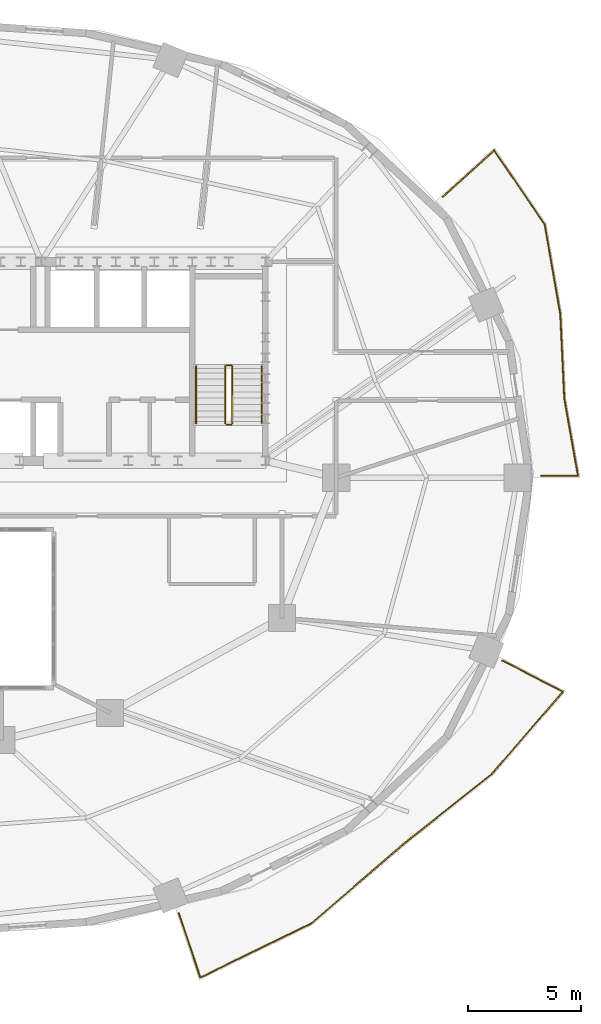
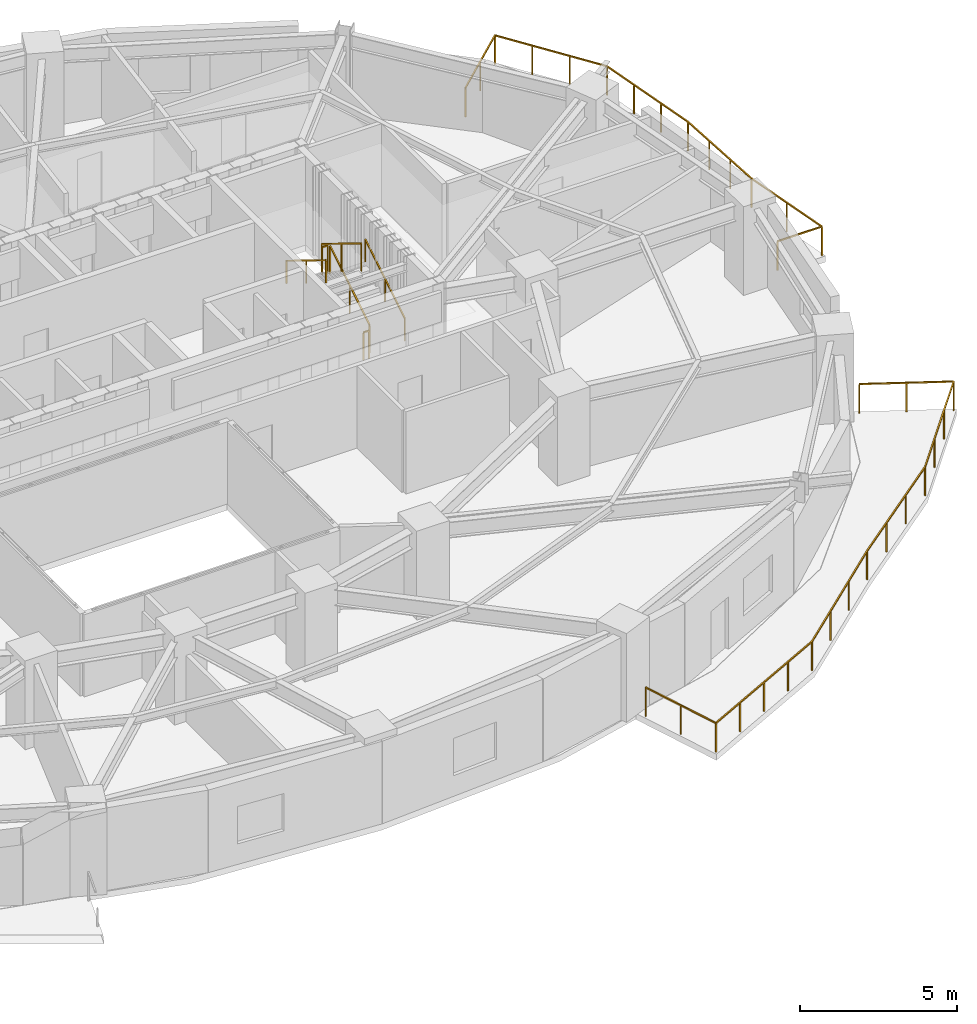
# One storey, part 13 of 13: 8 railings.
"""IFC4 building model written with IfcOpenShell, lengths in metres."""

from ifc_helpers import new_model, si_unit, direction, frame, origin, origin_2d, place, context, subcontext, project, spatial, rectangle, extrude, material, type_object, element, save


model = new_model("IFC4")

# Units and contexts
model_context = context("Model", 3, precision=1e-05, world=origin(), true_north=direction((0.0, 1.0)))
body_context = subcontext(model_context, "Body", "Model", "MODEL_VIEW")
ifc_project = project(units=[si_unit("LENGTHUNIT", "METRE"), si_unit("AREAUNIT", "SQUARE_METRE"), si_unit("VOLUMEUNIT", "CUBIC_METRE"), si_unit("PLANEANGLEUNIT", "RADIAN"), si_unit("MASSUNIT", "GRAM", prefix="KILO")], contexts=[model_context])

# Site, building, storey
site_placement = place(None, origin())
site = spatial("IfcSite", under=ifc_project, at=site_placement, CompositionType="ELEMENT")
building_placement = place(site_placement, origin())
building = spatial("IfcBuilding", under=site, at=building_placement, Name="Haldorwick Loom Tower", CompositionType="ELEMENT")
storey_placement = place(building_placement, frame((0.0, 0.0, 178.60009765625)))
storey = spatial("IfcBuildingStorey", under=building, at=storey_placement, Name="L48", CompositionType="ELEMENT", Elevation=178.60009765625)

# Railings
ifc_material_1 = material(Name="Galvanized Steel CSA G40.21 350W", Category="steel")
railing_type_1 = type_object("IfcRailingType", Name="ARC-RLG-BAL115", PredefinedType="BALUSTRADE", material=ifc_material_1)
railing_1_placement = place(storey_placement, frame((60.552734375, 17.91259765625, 0.0)))
element("IfcRailing", 1, at=railing_1_placement, inside=storey, type_object=railing_type_1, Name="L48 Outdoor Terrace Guardrail SLB-L48-BAL_SE-1", PredefinedType="BALUSTRADE", context=body_context, shape_type="SweptSolid", body=[
    extrude(rectangle(XDim=0.048095703125, YDim=0.048095703125, at=origin_2d()), frame((0.0, 0.0, 1.1259765625), z_axis=(0.888510792564, -0.458855719695, 0.0), x_axis=(0.458855719695, 0.888510792564, 0.0)), (0.0, 0.0, 1.0), 3.009765625),
    extrude(rectangle(XDim=0.048095703125, YDim=0.048095703125, at=origin_2d()), frame((2.67431640625, -1.381103515625, 1.1259765625), z_axis=(-0.654367841929, -0.756176386466, 0.0), x_axis=(0.756176386466, -0.654367841929, 0.0)), (0.0, 0.0, 1.0), 4.824951171875),
    extrude(rectangle(XDim=0.048095703125, YDim=0.048095703125, at=origin_2d()), frame((-0.48291015625, -5.029541015625, 1.1259765625), z_axis=(-0.783726636091, -0.621105916798, 0.0), x_axis=(0.621105916798, -0.783726636091, 0.0)), (0.0, 0.0, 1.0), 5.01123046875),
    extrude(rectangle(XDim=0.048095703125, YDim=0.048095703125, at=origin_2d()), frame((-4.410400390625, -8.14208984375, 1.1259765625), z_axis=(-0.773957299203, -0.633237790257, 0.0), x_axis=(0.633237790257, -0.773957299203, 0.0)), (0.0, 0.0, 1.0), 0.00341796875),
    extrude(rectangle(XDim=0.048095703125, YDim=0.048095703125, at=origin_2d()), frame((-4.4130859375, -8.144287109375, 1.1259765625), z_axis=(-0.757220744918, -0.653159049134, 0.0), x_axis=(0.653159049134, -0.757220744918, 0.0)), (0.0, 0.0, 1.0), 5.32568359375),
    extrude(rectangle(XDim=0.048095703125, YDim=0.048095703125, at=origin_2d()), frame((-8.44580078125, -11.622802734375, 1.1259765625), z_axis=(-0.899116897768, -0.43770858359, 0.0), x_axis=(0.43770858359, -0.899116897768, 0.0)), (0.0, 0.0, 1.0), 5.469970703125),
    extrude(rectangle(XDim=0.048095703125, YDim=0.048095703125, at=origin_2d()), frame((-13.364013671875, -14.01708984375, 1.1259765625), z_axis=(-0.316522037821, 0.948585156733, 0.0), x_axis=(-0.948585156733, -0.316522037821, 0.0)), (0.0, 0.0, 1.0), 2.986572265625),
    extrude(rectangle(XDim=0.0419921875, YDim=0.0419921875, at=origin_2d()), origin(), (0.0, 0.0, 1.0), 1.101806640625),
    extrude(rectangle(XDim=0.0419921875, YDim=0.0419921875, at=origin_2d()), frame((1.337158203125, -0.6904296875, 0.0)), (0.0, 0.0, 1.0), 1.101806640625),
    extrude(rectangle(XDim=0.0419921875, YDim=0.0419921875, at=origin_2d()), frame((2.67431640625, -1.381103515625, 0.0)), (0.0, 0.0, 1.0), 1.101806640625),
    extrude(rectangle(XDim=0.0419921875, YDim=0.0419921875, at=origin_2d()), frame((1.621826171875, -2.59716796875, 0.0)), (0.0, 0.0, 1.0), 1.101806640625),
    extrude(rectangle(XDim=0.0419921875, YDim=0.0419921875, at=origin_2d()), frame((0.569580078125, -3.8134765625, 0.0)), (0.0, 0.0, 1.0), 1.101806640625),
    extrude(rectangle(XDim=0.0419921875, YDim=0.0419921875, at=origin_2d()), frame((-0.48291015625, -5.029541015625, 0.0)), (0.0, 0.0, 1.0), 1.101806640625),
    extrude(rectangle(XDim=0.0419921875, YDim=0.0419921875, at=origin_2d()), frame((-1.7919921875, -6.067138671875, 0.0)), (0.0, 0.0, 1.0), 1.101806640625),
    extrude(rectangle(XDim=0.0419921875, YDim=0.0419921875, at=origin_2d()), frame((-3.101318359375, -7.1044921875, 0.0)), (0.0, 0.0, 1.0), 1.101806640625),
    extrude(rectangle(XDim=0.0419921875, YDim=0.0419921875, at=origin_2d()), frame((-4.410400390625, -8.14208984375, 0.0)), (0.0, 0.0, 1.0), 1.101806640625),
    extrude(rectangle(XDim=0.0419921875, YDim=0.0419921875, at=origin_2d()), frame((-5.75732421875, -9.3037109375, 0.0)), (0.0, 0.0, 1.0), 1.101806640625),
    extrude(rectangle(XDim=0.0419921875, YDim=0.0419921875, at=origin_2d()), frame((-7.1015625, -10.46337890625, 0.0)), (0.0, 0.0, 1.0), 1.101806640625),
    extrude(rectangle(XDim=0.0419921875, YDim=0.0419921875, at=origin_2d()), frame((-8.44580078125, -11.622802734375, 0.0)), (0.0, 0.0, 1.0), 1.101806640625),
    extrude(rectangle(XDim=0.0419921875, YDim=0.0419921875, at=origin_2d()), frame((-9.67529296875, -12.221435546875, 0.0)), (0.0, 0.0, 1.0), 1.101806640625),
    extrude(rectangle(XDim=0.0419921875, YDim=0.0419921875, at=origin_2d()), frame((-10.90478515625, -12.81982421875, 0.0)), (0.0, 0.0, 1.0), 1.101806640625),
    extrude(rectangle(XDim=0.0419921875, YDim=0.0419921875, at=origin_2d()), frame((-12.134521484375, -13.41845703125, 0.0)), (0.0, 0.0, 1.0), 1.101806640625),
    extrude(rectangle(XDim=0.0419921875, YDim=0.0419921875, at=origin_2d()), frame((-13.364013671875, -14.01708984375, 0.0)), (0.0, 0.0, 1.0), 1.101806640625),
    extrude(rectangle(XDim=0.0419921875, YDim=0.0419921875, at=origin_2d()), frame((-13.836669921875, -12.6005859375, 0.0)), (0.0, 0.0, 1.0), 1.101806640625),
    extrude(rectangle(XDim=0.0419921875, YDim=0.0419921875, at=origin_2d()), frame((-14.309326171875, -11.18408203125, 0.0)), (0.0, 0.0, 1.0), 1.101806640625),
])
railing_2_placement = place(storey_placement, frame((57.91162109375, 38.418701171875, 0.0)))
element("IfcRailing", 2, at=railing_2_placement, inside=storey, type_object=railing_type_1, Name="L48 Outdoor Terrace Guardrail SLB-L48-BAL_ENE-1", PredefinedType="BALUSTRADE", context=body_context, shape_type="SweptSolid", body=[
    extrude(rectangle(XDim=0.048095703125, YDim=0.048095703125, at=origin_2d()), frame((0.0, 0.0, 1.1259765625), z_axis=(0.741530121313, 0.670919577286, 0.0), x_axis=(-0.670919577286, 0.741530121313, 0.0)), (0.0, 0.0, 1.0), 3.06689453125),
    extrude(rectangle(XDim=0.048095703125, YDim=0.048095703125, at=origin_2d()), frame((2.274169921875, 2.0576171875, 1.1259765625), z_axis=(0.563872418529, -0.825861910747, 0.0), x_axis=(0.825861910747, 0.563872418529, 0.0)), (0.0, 0.0, 1.0), 3.95947265625),
    extrude(rectangle(XDim=0.048095703125, YDim=0.048095703125, at=origin_2d()), frame((4.5068359375, -1.21240234375, 1.1259765625), z_axis=(0.171625353709, -0.985162290166, 0.0), x_axis=(0.985162290166, 0.171625353709, 0.0)), (0.0, 0.0, 1.0), 4.0244140625),
    extrude(rectangle(XDim=0.048095703125, YDim=0.048095703125, at=origin_2d()), frame((5.197509765625, -5.177001953125, 1.1259765625), z_axis=(0.047350743594, -0.998878324463, 0.0), x_axis=(0.998878324463, 0.047350743594, 0.0)), (0.0, 0.0, 1.0), 3.73291015625),
    extrude(rectangle(XDim=0.048095703125, YDim=0.048095703125, at=origin_2d()), frame((5.374267578125, -8.90576171875, 1.1259765625), z_axis=(0.118212889785, -0.992988274195, 0.0), x_axis=(0.992988274195, 0.118212889785, 0.0)), (0.0, 0.0, 1.0), 0.01025390625),
    extrude(rectangle(XDim=0.048095703125, YDim=0.048095703125, at=origin_2d()), frame((5.37548828125, -8.916015625, 1.1259765625), z_axis=(0.174402362104, -0.984674472144, 0.0), x_axis=(0.984674472144, 0.174402362104, 0.0)), (0.0, 0.0, 1.0), 3.475830078125),
    extrude(rectangle(XDim=0.048095703125, YDim=0.048095703125, at=origin_2d()), frame((5.981689453125, -12.338623046875, 1.1259765625), z_axis=(-1.0, 0.0, 0.0), x_axis=(0.0, -1.0, 0.0)), (0.0, 0.0, 1.0), 1.633056640625),
    extrude(rectangle(XDim=0.0419921875, YDim=0.0419921875, at=origin_2d()), origin(), (0.0, 0.0, 1.0), 1.101806640625),
    extrude(rectangle(XDim=0.0419921875, YDim=0.0419921875, at=origin_2d()), frame((1.13720703125, 1.02880859375, 0.0)), (0.0, 0.0, 1.0), 1.101806640625),
    extrude(rectangle(XDim=0.0419921875, YDim=0.0419921875, at=origin_2d()), frame((2.274169921875, 2.0576171875, 0.0)), (0.0, 0.0, 1.0), 1.101806640625),
    extrude(rectangle(XDim=0.0419921875, YDim=0.0419921875, at=origin_2d()), frame((3.018310546875, 0.967529296875, 0.0)), (0.0, 0.0, 1.0), 1.101806640625),
    extrude(rectangle(XDim=0.0419921875, YDim=0.0419921875, at=origin_2d()), frame((3.7626953125, -0.122314453125, 0.0)), (0.0, 0.0, 1.0), 1.101806640625),
    extrude(rectangle(XDim=0.0419921875, YDim=0.0419921875, at=origin_2d()), frame((4.5068359375, -1.21240234375, 0.0)), (0.0, 0.0, 1.0), 1.101806640625),
    extrude(rectangle(XDim=0.0419921875, YDim=0.0419921875, at=origin_2d()), frame((4.737060546875, -2.533935546875, 0.0)), (0.0, 0.0, 1.0), 1.101806640625),
    extrude(rectangle(XDim=0.0419921875, YDim=0.0419921875, at=origin_2d()), frame((4.96728515625, -3.85546875, 0.0)), (0.0, 0.0, 1.0), 1.101806640625),
    extrude(rectangle(XDim=0.0419921875, YDim=0.0419921875, at=origin_2d()), frame((5.197509765625, -5.177001953125, 0.0)), (0.0, 0.0, 1.0), 1.101806640625),
    extrude(rectangle(XDim=0.0419921875, YDim=0.0419921875, at=origin_2d()), frame((5.25634765625, -6.419921875, 0.0)), (0.0, 0.0, 1.0), 1.101806640625),
    extrude(rectangle(XDim=0.0419921875, YDim=0.0419921875, at=origin_2d()), frame((5.3154296875, -7.662841796875, 0.0)), (0.0, 0.0, 1.0), 1.101806640625),
    extrude(rectangle(XDim=0.0419921875, YDim=0.0419921875, at=origin_2d()), frame((5.374267578125, -8.90576171875, 0.0)), (0.0, 0.0, 1.0), 1.101806640625),
    extrude(rectangle(XDim=0.0419921875, YDim=0.0419921875, at=origin_2d()), frame((5.6787109375, -10.62744140625, 0.0)), (0.0, 0.0, 1.0), 1.101806640625),
    extrude(rectangle(XDim=0.0419921875, YDim=0.0419921875, at=origin_2d()), frame((5.981689453125, -12.338623046875, 0.0)), (0.0, 0.0, 1.0), 1.101806640625),
    extrude(rectangle(XDim=0.0419921875, YDim=0.0419921875, at=origin_2d()), frame((4.3486328125, -12.338623046875, 0.0)), (0.0, 0.0, 1.0), 1.101806640625),
])
ifc_material_2 = material(Name="Steel CSA G40.21 350W", Category="steel")
railing_type_2 = type_object("IfcRailingType", Name="ARC-RLG-GUARD112", PredefinedType="GUARDRAIL", material=ifc_material_2)
railing_3_placement = place(storey_placement, frame((48.60009765625, 28.39990234375, 0.17236328125)))
element("IfcRailing", 3, at=railing_3_placement, inside=storey, type_object=railing_type_2, Name="L48 ST-02 stair guard 1", PredefinedType="GUARDRAIL", context=body_context, shape_type="SweptSolid", body=[
    extrude(rectangle(XDim=0.048095703125, YDim=0.048095703125, at=origin_2d()), frame((0.0, 0.0, 1.076171875), z_axis=(0.0, 0.851400495292, 0.524516154772), x_axis=(-1.0, 0.0, 0.0)), (0.0, 0.0, 1.0), 2.9599609375),
    extrude(rectangle(XDim=0.0419921875, YDim=0.0419921875, at=origin_2d()), origin(), (0.0, 0.0, 1.0), 1.052001953125),
    extrude(rectangle(XDim=0.0419921875, YDim=0.0419921875, at=origin_2d()), frame((0.0, 1.260009765625, 0.7763671875)), (0.0, 0.0, 1.0), 1.052001953125),
    extrude(rectangle(XDim=0.0419921875, YDim=0.0419921875, at=origin_2d()), frame((0.0, 2.52001953125, 1.552490234375)), (0.0, 0.0, 1.0), 1.052001953125),
])
railing_4_placement = place(storey_placement, frame((48.550048828125, 30.969970703125, 1.724853515625)))
element("IfcRailing", 4, at=railing_4_placement, inside=storey, type_object=railing_type_2, Name="L48 ST-02 stair guard 2", PredefinedType="GUARDRAIL", context=body_context, shape_type="SweptSolid", body=[
    extrude(rectangle(XDim=0.048095703125, YDim=0.048095703125, at=origin_2d()), frame((0.0, 0.0, 1.076171875), z_axis=(-1.0, 0.0, 0.0), x_axis=(0.0, -1.0, 0.0)), (0.0, 0.0, 1.0), 0.199951171875),
    extrude(rectangle(XDim=0.0419921875, YDim=0.0419921875, at=origin_2d()), origin(), (0.0, 0.0, 1.0), 1.052001953125),
    extrude(rectangle(XDim=0.0419921875, YDim=0.0419921875, at=origin_2d()), frame((-0.199951171875, 0.0, 0.0)), (0.0, 0.0, 1.0), 1.052001953125),
])
railing_5_placement = place(storey_placement, frame((48.300048828125, 30.919921875, 1.8974609375)))
element("IfcRailing", 5, at=railing_5_placement, inside=storey, type_object=railing_type_2, Name="L48 ST-02 stair guard 3", PredefinedType="GUARDRAIL", context=body_context, shape_type="SweptSolid", body=[
    extrude(rectangle(XDim=0.048095703125, YDim=0.048095703125, at=origin_2d()), frame((0.0, 0.0, 1.076171875), z_axis=(0.0, -0.851400495292, 0.524516154772), x_axis=(1.0, 0.0, 0.0)), (0.0, 0.0, 1.0), 2.9599609375),
    extrude(rectangle(XDim=0.0419921875, YDim=0.0419921875, at=origin_2d()), origin(), (0.0, 0.0, 1.0), 1.052001953125),
    extrude(rectangle(XDim=0.0419921875, YDim=0.0419921875, at=origin_2d()), frame((0.0, -1.260009765625, 0.7763671875)), (0.0, 0.0, 1.0), 1.052001953125),
    extrude(rectangle(XDim=0.0419921875, YDim=0.0419921875, at=origin_2d()), frame((0.0, -2.52001953125, 1.552490234375)), (0.0, 0.0, 1.0), 1.052001953125),
])
railing_6_placement = place(storey_placement, frame((48.550048828125, 28.35009765625, 0.0)))
element("IfcRailing", 6, at=railing_6_placement, inside=storey, type_object=railing_type_2, Name="L48 ST-02 stair guard 4", PredefinedType="GUARDRAIL", context=body_context, shape_type="SweptSolid", body=[
    extrude(rectangle(XDim=0.048095703125, YDim=0.048095703125, at=origin_2d()), frame((0.0, 0.0, 1.076171875), z_axis=(-1.0, 0.0, 0.0), x_axis=(0.0, -1.0, 0.0)), (0.0, 0.0, 1.0), 0.199951171875),
    extrude(rectangle(XDim=0.0419921875, YDim=0.0419921875, at=origin_2d()), origin(), (0.0, 0.0, 1.0), 1.052001953125),
    extrude(rectangle(XDim=0.0419921875, YDim=0.0419921875, at=origin_2d()), frame((-0.199951171875, 0.0, 0.0)), (0.0, 0.0, 1.0), 1.052001953125),
])
railing_type_3 = type_object("IfcRailingType", Name="ARC-RLG-HAND092", PredefinedType="HANDRAIL", material=ifc_material_2)
railing_7_placement = place(storey_placement, frame((49.89990234375, 28.39990234375, 0.17236328125)))
element("IfcRailing", 7, at=railing_7_placement, inside=storey, type_object=railing_type_3, Name="L48 ST-02 stair handrail 1", PredefinedType="HANDRAIL", context=body_context, shape_type="SweptSolid", body=[
    extrude(rectangle(XDim=0.048095703125, YDim=0.048095703125, at=origin_2d()), frame((0.0, 0.0, 0.8759765625), z_axis=(0.0, 0.851400495292, 0.524516154772), x_axis=(-1.0, 0.0, 0.0)), (0.0, 0.0, 1.0), 2.9599609375),
    extrude(rectangle(XDim=0.0419921875, YDim=0.0419921875, at=origin_2d()), origin(), (0.0, 0.0, 1.0), 0.851806640625),
    extrude(rectangle(XDim=0.0419921875, YDim=0.0419921875, at=origin_2d()), frame((0.0, 1.260009765625, 0.7763671875)), (0.0, 0.0, 1.0), 0.851806640625),
    extrude(rectangle(XDim=0.0419921875, YDim=0.0419921875, at=origin_2d()), frame((0.0, 2.52001953125, 1.552490234375)), (0.0, 0.0, 1.0), 0.851806640625),
])
railing_8_placement = place(storey_placement, frame((47.0, 30.919921875, 1.8974609375)))
element("IfcRailing", 8, at=railing_8_placement, inside=storey, type_object=railing_type_3, Name="L48 ST-02 stair handrail 2", PredefinedType="HANDRAIL", context=body_context, shape_type="SweptSolid", body=[
    extrude(rectangle(XDim=0.048095703125, YDim=0.048095703125, at=origin_2d()), frame((0.0, 0.0, 0.8759765625), z_axis=(0.0, -0.851400495292, 0.524516154772), x_axis=(1.0, 0.0, 0.0)), (0.0, 0.0, 1.0), 2.9599609375),
    extrude(rectangle(XDim=0.0419921875, YDim=0.0419921875, at=origin_2d()), origin(), (0.0, 0.0, 1.0), 0.851806640625),
    extrude(rectangle(XDim=0.0419921875, YDim=0.0419921875, at=origin_2d()), frame((0.0, -1.260009765625, 0.7763671875)), (0.0, 0.0, 1.0), 0.851806640625),
    extrude(rectangle(XDim=0.0419921875, YDim=0.0419921875, at=origin_2d()), frame((0.0, -2.52001953125, 1.552490234375)), (0.0, 0.0, 1.0), 0.851806640625),
])

save(model, "model.ifc")
